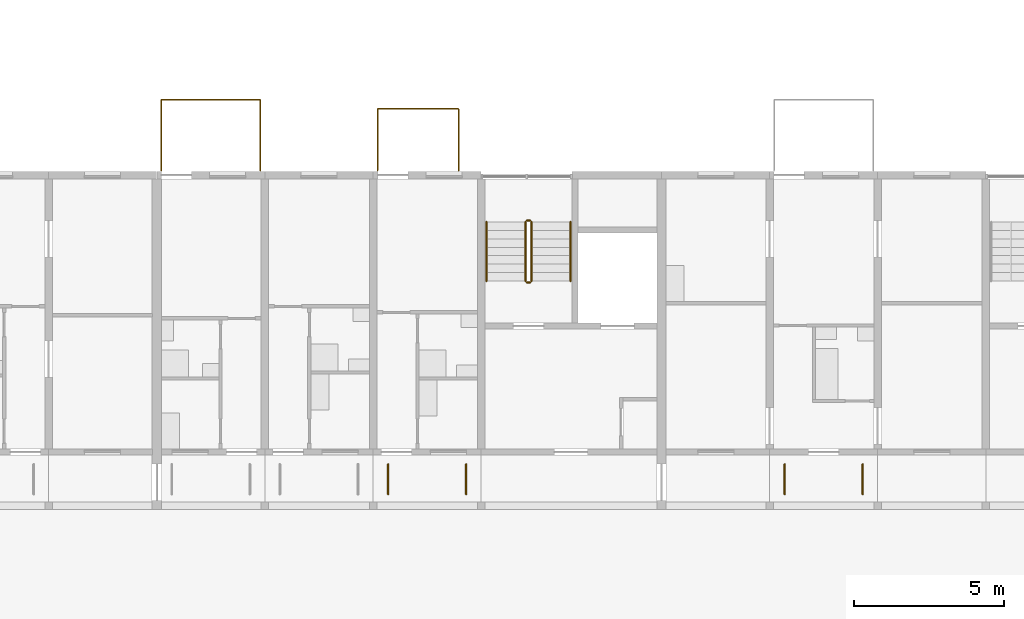
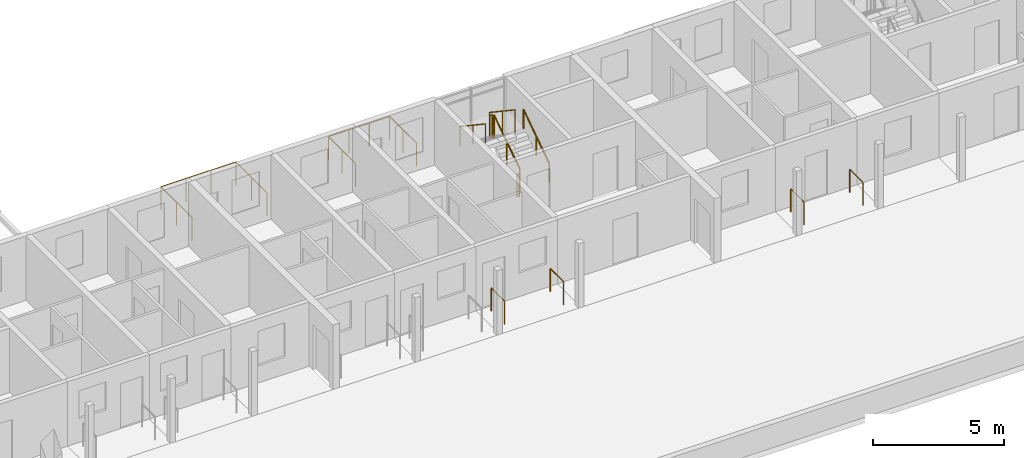
# One storey, part 95 of 115: 12 railings.
"""IFC4 building model written with IfcOpenShell, lengths in metres."""

from ifc_helpers import new_model, si_unit, direction, frame, origin, origin_2d, place, context, subcontext, project, spatial, circle, extrude, material, type_object, element, save


model = new_model("IFC4")

# Units and contexts
model_context = context("Model", 3, precision=1e-05, world=origin(), true_north=direction((0.0, 1.0)))
body_context = subcontext(model_context, "Body", "Model", "MODEL_VIEW")
ifc_project = project(units=[si_unit("LENGTHUNIT", "METRE"), si_unit("AREAUNIT", "SQUARE_METRE"), si_unit("VOLUMEUNIT", "CUBIC_METRE"), si_unit("PLANEANGLEUNIT", "RADIAN"), si_unit("MASSUNIT", "GRAM", prefix="KILO")], contexts=[model_context])

# Site, building, storey
site_placement = place(None, origin())
site = spatial("IfcSite", under=ifc_project, at=site_placement, CompositionType="ELEMENT")
building_placement = place(site_placement, origin())
building = spatial("IfcBuilding", under=site, at=building_placement, Name="Ridgestep Commons", CompositionType="ELEMENT")
storey_placement = place(building_placement, frame((0.0, 0.0, 6.0)))
storey = spatial("IfcBuildingStorey", under=building, at=storey_placement, Name="L02", CompositionType="ELEMENT", Elevation=6.0)

# Railings
ifc_material_1 = material(Name="Structural steel S355JR", Category="steel")
railing_type_1 = type_object("IfcRailingType", Name="Guard 1100", PredefinedType="GUARDRAIL", material=ifc_material_1)
for number, where, name in (
    (1, (70.10009765625, 12.25, 0.0), "Gallery side guard A 02.15W"),
    (2, (72.699951171875, 12.25, 0.0), "Gallery side guard A 02.15E"),
    (3, (83.300048828125, 12.25, 0.0), "Gallery side guard A 02.18W"),
    (4, (85.89990234375, 12.25, 0.0), "Gallery side guard A 02.18E"),
):
    element("IfcRailing", number, at=place(storey_placement, frame(where)), inside=storey, type_object=railing_type_1, Name=name, PredefinedType="GUARDRAIL", context=body_context, shape_type="SweptSolid", body=[
        extrude(circle(Radius=0.02392578125, at=origin_2d()), frame((0.0, 0.0, 1.076171875), z_axis=(0.0, 1.0, 0.0), x_axis=(-1.0, 0.0, 0.0)), (0.0, 0.0, 1.0), 1.0),
        extrude(circle(Radius=0.02099609375, at=origin_2d()), origin(), (0.0, 0.0, 1.0), 1.052001953125),
        extrude(circle(Radius=0.02099609375, at=origin_2d()), frame((0.0, 1.0, 0.0)), (0.0, 0.0, 1.0), 1.052001953125),
    ])
ifc_material_2 = material(Name="Structural steel S355JR", Category="steel")
railing_type_2 = type_object("IfcRailingType", Name="Stair guard 1100", PredefinedType="GUARDRAIL", material=ifc_material_2)
railing_1_placement = place(storey_placement, frame((74.875, 19.35009765625, 0.1875)))
element("IfcRailing", 5, at=railing_1_placement, inside=storey, type_object=railing_type_2, Name="L02 A4C stair guard 1", PredefinedType="GUARDRAIL", context=body_context, shape_type="SweptSolid", body=[
    extrude(circle(Radius=0.02392578125, at=origin_2d()), frame((0.0, 0.0, 1.076171875), z_axis=(0.0, 0.830902050051, 0.556418712142), x_axis=(-1.0, 0.0, 0.0)), (0.0, 0.0, 1.0), 2.35888671875),
    extrude(circle(Radius=0.02099609375, at=origin_2d()), origin(), (0.0, 0.0, 1.0), 1.052001953125),
    extrude(circle(Radius=0.02099609375, at=origin_2d()), frame((0.0, 0.97998046875, 0.65625)), (0.0, 0.0, 1.0), 1.052001953125),
    extrude(circle(Radius=0.02099609375, at=origin_2d()), frame((0.0, 1.9599609375, 1.3125)), (0.0, 0.0, 1.0), 1.052001953125),
])
railing_2_placement = place(storey_placement, frame((74.824951171875, 21.360107421875, 1.5)))
element("IfcRailing", 6, at=railing_2_placement, inside=storey, type_object=railing_type_2, Name="L02 A4C stair guard 2", PredefinedType="GUARDRAIL", context=body_context, shape_type="SweptSolid", body=[
    extrude(circle(Radius=0.02392578125, at=origin_2d()), frame((0.0, 0.0, 1.076171875), z_axis=(-1.0, 0.0, 0.0), x_axis=(0.0, -1.0, 0.0)), (0.0, 0.0, 1.0), 0.099853515625),
    extrude(circle(Radius=0.02099609375, at=origin_2d()), origin(), (0.0, 0.0, 1.0), 1.052001953125),
    extrude(circle(Radius=0.02099609375, at=origin_2d()), frame((-0.099853515625, 0.0, 0.0)), (0.0, 0.0, 1.0), 1.052001953125),
])
railing_3_placement = place(storey_placement, frame((74.675048828125, 21.31005859375, 1.6875)))
element("IfcRailing", 7, at=railing_3_placement, inside=storey, type_object=railing_type_2, Name="L02 A4C stair guard 3", PredefinedType="GUARDRAIL", context=body_context, shape_type="SweptSolid", body=[
    extrude(circle(Radius=0.02392578125, at=origin_2d()), frame((0.0, 0.0, 1.076171875), z_axis=(0.0, -0.830902050051, 0.556418712142), x_axis=(1.0, 0.0, 0.0)), (0.0, 0.0, 1.0), 2.35888671875),
    extrude(circle(Radius=0.02099609375, at=origin_2d()), origin(), (0.0, 0.0, 1.0), 1.052001953125),
    extrude(circle(Radius=0.02099609375, at=origin_2d()), frame((0.0, -0.97998046875, 0.65625)), (0.0, 0.0, 1.0), 1.052001953125),
    extrude(circle(Radius=0.02099609375, at=origin_2d()), frame((0.0, -1.9599609375, 1.3125)), (0.0, 0.0, 1.0), 1.052001953125),
])
railing_4_placement = place(storey_placement, frame((74.824951171875, 19.300048828125, 0.0)))
element("IfcRailing", 8, at=railing_4_placement, inside=storey, type_object=railing_type_2, Name="L02 A4C stair guard 4", PredefinedType="GUARDRAIL", context=body_context, shape_type="SweptSolid", body=[
    extrude(circle(Radius=0.02392578125, at=origin_2d()), frame((0.0, 0.0, 1.076171875), z_axis=(-1.0, 0.0, 0.0), x_axis=(0.0, -1.0, 0.0)), (0.0, 0.0, 1.0), 0.099853515625),
    extrude(circle(Radius=0.02099609375, at=origin_2d()), origin(), (0.0, 0.0, 1.0), 1.052001953125),
    extrude(circle(Radius=0.02099609375, at=origin_2d()), frame((-0.099853515625, 0.0, 0.0)), (0.0, 0.0, 1.0), 1.052001953125),
])
ifc_material_3 = material(Name="Structural steel S355JR", Category="steel")
railing_type_3 = type_object("IfcRailingType", Name="Stair handrail 900", PredefinedType="HANDRAIL", material=ifc_material_3)
railing_5_placement = place(storey_placement, frame((76.175048828125, 19.35009765625, 0.1875)))
element("IfcRailing", 9, at=railing_5_placement, inside=storey, type_object=railing_type_3, Name="L02 A4C stair handrail 1", PredefinedType="HANDRAIL", context=body_context, shape_type="SweptSolid", body=[
    extrude(circle(Radius=0.02392578125, at=origin_2d()), frame((0.0, 0.0, 0.8759765625), z_axis=(0.0, 0.830902050051, 0.556418712142), x_axis=(-1.0, 0.0, 0.0)), (0.0, 0.0, 1.0), 2.35888671875),
    extrude(circle(Radius=0.02099609375, at=origin_2d()), origin(), (0.0, 0.0, 1.0), 0.851806640625),
    extrude(circle(Radius=0.02099609375, at=origin_2d()), frame((0.0, 0.97998046875, 0.65625)), (0.0, 0.0, 1.0), 0.851806640625),
    extrude(circle(Radius=0.02099609375, at=origin_2d()), frame((0.0, 1.9599609375, 1.3125)), (0.0, 0.0, 1.0), 0.851806640625),
])
railing_6_placement = place(storey_placement, frame((73.375, 21.31005859375, 1.6875)))
element("IfcRailing", 10, at=railing_6_placement, inside=storey, type_object=railing_type_3, Name="L02 A4C stair handrail 2", PredefinedType="HANDRAIL", context=body_context, shape_type="SweptSolid", body=[
    extrude(circle(Radius=0.02392578125, at=origin_2d()), frame((0.0, 0.0, 0.8759765625), z_axis=(0.0, -0.830902050051, 0.556418712142), x_axis=(1.0, 0.0, 0.0)), (0.0, 0.0, 1.0), 2.35888671875),
    extrude(circle(Radius=0.02099609375, at=origin_2d()), origin(), (0.0, 0.0, 1.0), 0.851806640625),
    extrude(circle(Radius=0.02099609375, at=origin_2d()), frame((0.0, -0.97998046875, 0.65625)), (0.0, 0.0, 1.0), 0.851806640625),
    extrude(circle(Radius=0.02099609375, at=origin_2d()), frame((0.0, -1.9599609375, 1.3125)), (0.0, 0.0, 1.0), 0.851806640625),
])
ifc_material_4 = material(Name="Weathering steel S355J2W", Category="steel")
railing_type_4 = type_object("IfcRailingType", Name="Tray guard 1100", PredefinedType="GUARDRAIL", material=ifc_material_4)
railing_7_placement = place(storey_placement, frame((62.551025390625, 23.02099609375, 0.0)))
element("IfcRailing", 11, at=railing_7_placement, inside=storey, type_object=railing_type_4, Name="Tray guard A4T1-02", PredefinedType="GUARDRAIL", context=body_context, shape_type="SweptSolid", body=[
    extrude(circle(Radius=0.02392578125, at=origin_2d()), frame((0.0, 0.0, 1.076171875), z_axis=(0.0, 1.0, 0.0), x_axis=(-1.0, 0.0, 0.0)), (0.0, 0.0, 1.0), 2.35791015625),
    extrude(circle(Radius=0.02392578125, at=origin_2d()), frame((0.0, 2.35791015625, 1.076171875), z_axis=(1.0, 0.0, 0.0), x_axis=(0.0, 1.0, 0.0)), (0.0, 0.0, 1.0), 3.298095703125),
    extrude(circle(Radius=0.02392578125, at=origin_2d()), frame((3.298095703125, 2.35791015625, 1.076171875), z_axis=(0.0, -1.0, 0.0), x_axis=(1.0, 0.0, 0.0)), (0.0, 0.0, 1.0), 2.35791015625),
    extrude(circle(Radius=0.02099609375, at=origin_2d()), origin(), (0.0, 0.0, 1.0), 1.052001953125),
    extrude(circle(Radius=0.02099609375, at=origin_2d()), frame((0.0, 1.178955078125, 0.0)), (0.0, 0.0, 1.0), 1.052001953125),
    extrude(circle(Radius=0.02099609375, at=origin_2d()), frame((0.0, 2.35791015625, 0.0)), (0.0, 0.0, 1.0), 1.052001953125),
    extrude(circle(Radius=0.02099609375, at=origin_2d()), frame((1.099365234375, 2.35791015625, 0.0)), (0.0, 0.0, 1.0), 1.052001953125),
    extrude(circle(Radius=0.02099609375, at=origin_2d()), frame((2.19873046875, 2.35791015625, 0.0)), (0.0, 0.0, 1.0), 1.052001953125),
    extrude(circle(Radius=0.02099609375, at=origin_2d()), frame((3.298095703125, 2.35791015625, 0.0)), (0.0, 0.0, 1.0), 1.052001953125),
    extrude(circle(Radius=0.02099609375, at=origin_2d()), frame((3.298095703125, 1.178955078125, 0.0)), (0.0, 0.0, 1.0), 1.052001953125),
    extrude(circle(Radius=0.02099609375, at=origin_2d()), frame((3.298095703125, 0.0, 0.0)), (0.0, 0.0, 1.0), 1.052001953125),
])
railing_8_placement = place(storey_placement, frame((69.7509765625, 23.02099609375, 0.0)))
element("IfcRailing", 12, at=railing_8_placement, inside=storey, type_object=railing_type_4, Name="Tray guard A4T3-02", PredefinedType="GUARDRAIL", context=body_context, shape_type="SweptSolid", body=[
    extrude(circle(Radius=0.02392578125, at=origin_2d()), frame((0.0, 0.0, 1.076171875), z_axis=(0.0, 1.0, 0.0), x_axis=(-1.0, 0.0, 0.0)), (0.0, 0.0, 1.0), 2.05810546875),
    extrude(circle(Radius=0.02392578125, at=origin_2d()), frame((0.0, 2.05810546875, 1.076171875), z_axis=(1.0, 0.0, 0.0), x_axis=(0.0, 1.0, 0.0)), (0.0, 0.0, 1.0), 2.697998046875),
    extrude(circle(Radius=0.02392578125, at=origin_2d()), frame((2.697998046875, 2.05810546875, 1.076171875), z_axis=(0.0, -1.0, 0.0), x_axis=(1.0, 0.0, 0.0)), (0.0, 0.0, 1.0), 2.05810546875),
    extrude(circle(Radius=0.02099609375, at=origin_2d()), origin(), (0.0, 0.0, 1.0), 1.052001953125),
    extrude(circle(Radius=0.02099609375, at=origin_2d()), frame((0.0, 1.029052734375, 0.0)), (0.0, 0.0, 1.0), 1.052001953125),
    extrude(circle(Radius=0.02099609375, at=origin_2d()), frame((0.0, 2.05810546875, 0.0)), (0.0, 0.0, 1.0), 1.052001953125),
    extrude(circle(Radius=0.02099609375, at=origin_2d()), frame((0.8994140625, 2.05810546875, 0.0)), (0.0, 0.0, 1.0), 1.052001953125),
    extrude(circle(Radius=0.02099609375, at=origin_2d()), frame((1.798583984375, 2.05810546875, 0.0)), (0.0, 0.0, 1.0), 1.052001953125),
    extrude(circle(Radius=0.02099609375, at=origin_2d()), frame((2.697998046875, 2.05810546875, 0.0)), (0.0, 0.0, 1.0), 1.052001953125),
    extrude(circle(Radius=0.02099609375, at=origin_2d()), frame((2.697998046875, 1.029052734375, 0.0)), (0.0, 0.0, 1.0), 1.052001953125),
    extrude(circle(Radius=0.02099609375, at=origin_2d()), frame((2.697998046875, 0.0, 0.0)), (0.0, 0.0, 1.0), 1.052001953125),
])

save(model, "model.ifc")
